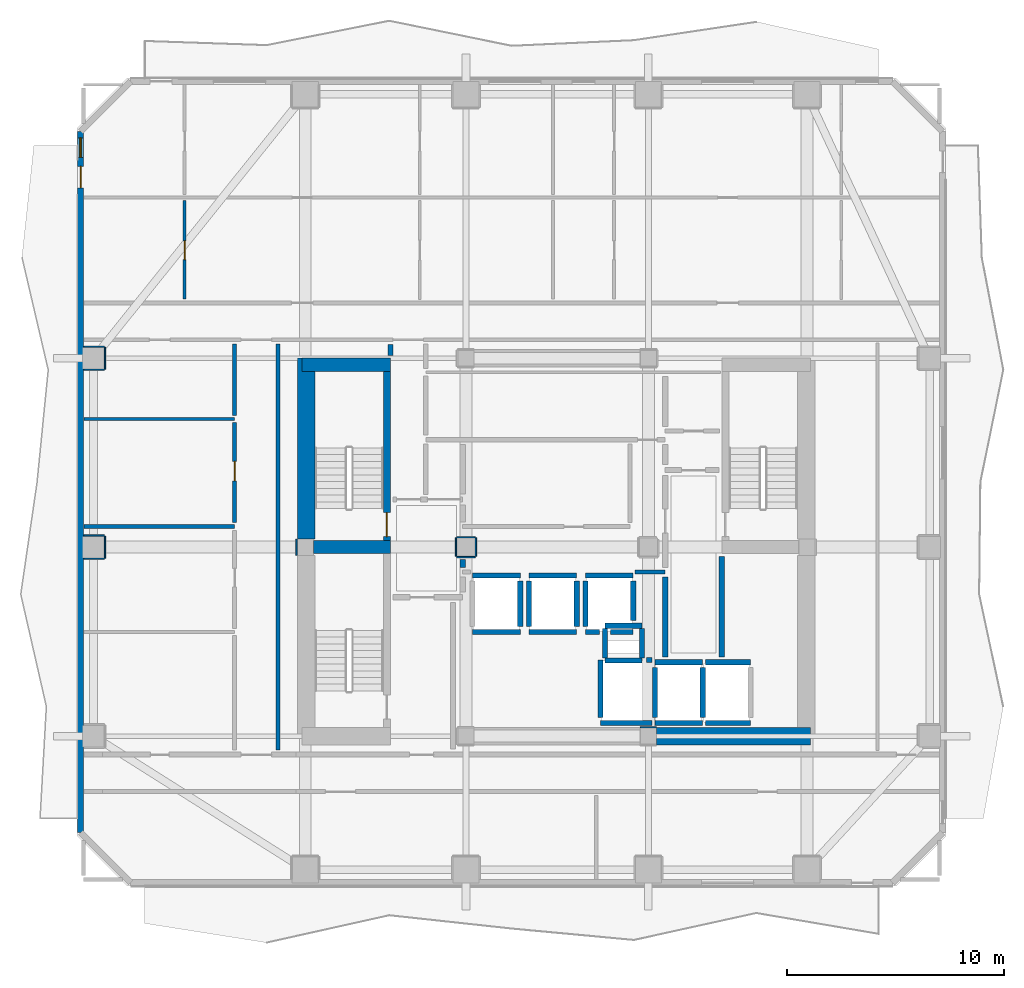
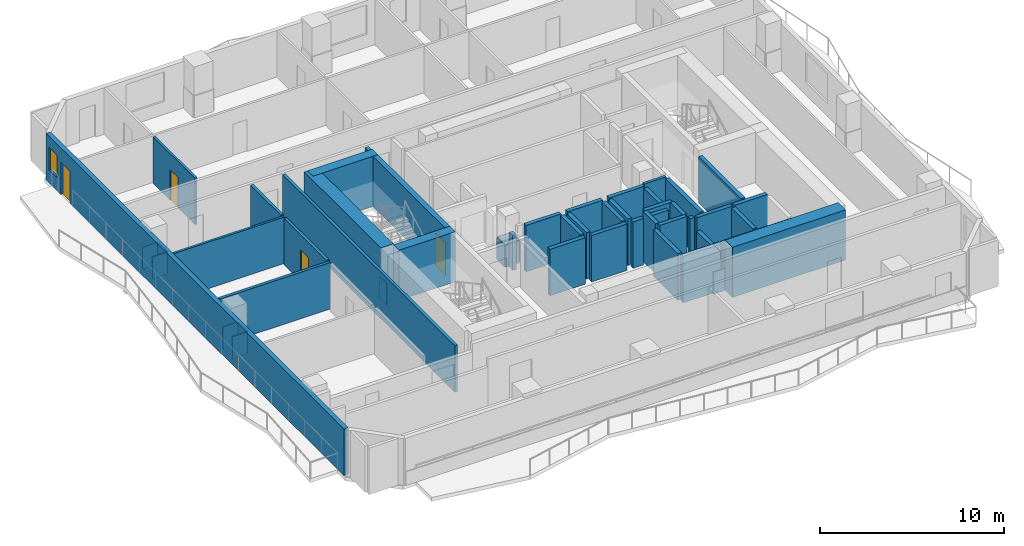
# One storey, part 3 of 10: 54 walls, 4 doors, 1 window, 5 openings.
"""IFC4 building model written with IfcOpenShell, lengths in metres."""

from ifc_helpers import new_model, si_unit, direction, frame, frame_2d, origin, place, context, subcontext, project, spatial, rectangle, extrude, material, layer, layer_set, type_object, element, fill, save


model = new_model("IFC4")

# Units and contexts
model_context = context("Model", 3, precision=1e-05, world=origin(), true_north=direction((0.0, 1.0)))
body_context = subcontext(model_context, "Body", "Model", "MODEL_VIEW")
ifc_project = project(units=[si_unit("LENGTHUNIT", "METRE"), si_unit("AREAUNIT", "SQUARE_METRE"), si_unit("VOLUMEUNIT", "CUBIC_METRE"), si_unit("PLANEANGLEUNIT", "RADIAN"), si_unit("MASSUNIT", "GRAM", prefix="KILO")], contexts=[model_context])

# Site, building, storey
site_placement = place(None, origin())
site = spatial("IfcSite", under=ifc_project, at=site_placement, CompositionType="ELEMENT")
building_placement = place(site_placement, origin())
building = spatial("IfcBuilding", under=site, at=building_placement, Name="Solanera Arch Residences", CompositionType="ELEMENT")
storey_placement = place(building_placement, frame((0.0, 0.0, 176.8798828125)))
storey = spatial("IfcBuildingStorey", under=building, at=storey_placement, Name="L51", CompositionType="ELEMENT", Elevation=176.8798828125)

# Walls
ifc_material_1 = material(Name="Fire-Rated Gypsum Stud Partition", Category="gypsum")
ifc_layer_1 = layer(ifc_material_1, 0.06005859375)
ifc_layer_set_1 = layer_set([ifc_layer_1], Name="Fire-Rated Gypsum Stud Partition")
wall_type_1 = type_object("IfcWallType", Name="Column Acoustic Furring Wall 60", PredefinedType="PARTITIONING", material=ifc_layer_set_1)
wall_1_placement = place(storey_placement, frame((28.8330078125, 22.406982421875, 0.0), z_axis=(0.0, 0.0, 1.0), x_axis=(1.0, 0.0, 0.0)))
element("IfcWall", 1, at=wall_1_placement, inside=storey, type_object=wall_type_1, Name="L51 Column Furring 2N", PredefinedType="PARTITIONING", context=body_context, shape_type="SweptSolid", body=[
    extrude(rectangle(XDim=0.73388671875, YDim=0.06005859375, at=frame_2d((0.366943359375, 0.0))), origin(), (0.0, 0.0, 1.0), 1.4501953125),
])
wall_2_placement = place(storey_placement, frame((12.992919921875, 30.324951171875, 0.0), z_axis=(0.0, 0.0, 1.0), x_axis=(0.0, 1.0, 0.0)))
element("IfcWall", 2, at=wall_2_placement, inside=storey, type_object=wall_type_1, Name="L51 Column Furring 5W", PredefinedType="PARTITIONING", context=body_context, shape_type="SweptSolid", body=[
    extrude(rectangle(XDim=0.75, YDim=0.06005859375, at=frame_2d((0.375, 0.0))), origin(), (0.0, 0.0, 1.0), 1.4501953125),
])
for number, where, z_axis, x_axis, name in (
    (3, (20.375, 30.242919921875, 0.0), (0.0, 0.0, 1.0), (1.0, 0.0, 0.0), "L51 Column Furring 7S"),
    (4, (20.375, 31.156982421875, 0.0), (0.0, 0.0, 1.0), (1.0, 0.0, 0.0), "L51 Column Furring 7N"),
    (5, (20.343017578125, 30.27490234375, 0.0), (0.0, 0.0, 1.0), (0.0, 1.0, 0.0), "L51 Column Furring 7W"),
    (6, (21.257080078125, 30.27490234375, 0.0), (0.0, 0.0, 1.0), (0.0, 1.0, 0.0), "L51 Column Furring 7E"),
):
    element("IfcWall", number, at=place(storey_placement, frame(where, z_axis=z_axis, x_axis=x_axis)), inside=storey, type_object=wall_type_1, Name=name, PredefinedType="PARTITIONING", context=body_context, shape_type="SweptSolid", body=[
        extrude(rectangle(XDim=0.85009765625, YDim=0.06005859375, at=frame_2d((0.425048828125, 0.0))), origin(), (0.0, 0.0, 1.0), 1.4501953125),
    ])
for number, where, z_axis, x_axis, name in (
    (7, (3.2099609375, 30.16796875, 0.0), (0.0, 0.0, 1.0), (1.0, 0.0, 0.0), "L51 Column Furring 19S"),
    (8, (3.2099609375, 31.23193359375, 0.0), (0.0, 0.0, 1.0), (1.0, 0.0, 0.0), "L51 Column Furring 19N"),
):
    element("IfcWall", number, at=place(storey_placement, frame(where, z_axis=z_axis, x_axis=x_axis)), inside=storey, type_object=wall_type_1, Name=name, PredefinedType="PARTITIONING", context=body_context, shape_type="SweptSolid", body=[
        extrude(rectangle(XDim=0.93994140625, YDim=0.06005859375, at=frame_2d((0.469970703125, 0.0))), origin(), (0.0, 0.0, 1.0), 1.4501953125),
    ])
wall_3_placement = place(storey_placement, frame((4.181884765625, 30.199951171875, 0.0), z_axis=(0.0, 0.0, 1.0), x_axis=(0.0, 1.0, 0.0)))
element("IfcWall", 9, at=wall_3_placement, inside=storey, type_object=wall_type_1, Name="L51 Column Furring 19E", PredefinedType="PARTITIONING", context=body_context, shape_type="SweptSolid", body=[
    extrude(rectangle(XDim=1.0, YDim=0.06005859375, at=frame_2d((0.5, 0.0))), origin(), (0.0, 0.0, 1.0), 1.4501953125),
])
for number, where, z_axis, x_axis, name in (
    (10, (3.2099609375, 38.867919921875, 0.0), (0.0, 0.0, 1.0), (1.0, 0.0, 0.0), "L51 Column Furring 21S"),
    (11, (3.2099609375, 39.931884765625, 0.0), (0.0, 0.0, 1.0), (1.0, 0.0, 0.0), "L51 Column Furring 21N"),
):
    element("IfcWall", number, at=place(storey_placement, frame(where, z_axis=z_axis, x_axis=x_axis)), inside=storey, type_object=wall_type_1, Name=name, PredefinedType="PARTITIONING", context=body_context, shape_type="SweptSolid", body=[
        extrude(rectangle(XDim=0.93994140625, YDim=0.06005859375, at=frame_2d((0.469970703125, 0.0))), origin(), (0.0, 0.0, 1.0), 1.4501953125),
    ])
wall_4_placement = place(storey_placement, frame((4.181884765625, 38.89990234375, 0.0), z_axis=(0.0, 0.0, 1.0), x_axis=(0.0, 1.0, 0.0)))
element("IfcWall", 12, at=wall_4_placement, inside=storey, type_object=wall_type_1, Name="L51 Column Furring 21E", PredefinedType="PARTITIONING", context=body_context, shape_type="SweptSolid", body=[
    extrude(rectangle(XDim=1.0, YDim=0.06005859375, at=frame_2d((0.5, 0.0))), origin(), (0.0, 0.0, 1.0), 1.4501953125),
])

# Wall, opening, door
ifc_material_2 = material(Name="Concrete C40/50 (f'c = 45 MPa)", Category="concrete")
ifc_layer_2 = layer(ifc_material_2, 0.320068359375)
ifc_layer_set_2 = layer_set([ifc_layer_2], Name="Concrete C40/50 (f'c = 45 MPa)")
wall_type_2 = type_object("IfcWallType", Name="Core Shear Wall CW-320", PredefinedType="SHEAR", material=ifc_layer_set_2)
wall_5_placement = place(storey_placement, frame((17.159912109375, 31.0, 0.0), z_axis=(0.0, 0.0, 1.0), x_axis=(0.0, 1.0, 0.0)))
wall_5 = element("IfcWall", 13, at=wall_5_placement, inside=storey, type_object=wall_type_2, Name="L51 Stair ST-T1 East Shear Wall", PredefinedType="SHEAR", context=body_context, shape_type="SweptSolid", body=[
    extrude(rectangle(XDim=7.800048828125, YDim=0.320068359375, at=frame_2d((3.89990234375, 0.0))), origin(), (0.0, 0.0, 1.0), 3.320068359375),
])
opening_1_placement = place(wall_5_placement, frame((0.18994140625, 0.0, 0.0)))
opening_1 = element("IfcOpeningElement", 14, at=opening_1_placement, cuts=wall_5, Name="Opening DF-01", PredefinedType="OPENING", context=body_context, shape_type="SweptSolid", body=[
    extrude(rectangle(XDim=1.10009765625, YDim=2.14990234375, at=frame_2d((0.550048828125, 1.074951171875))), frame((0.0, 0.169921875, 0.0), z_axis=(0.0, -1.0, 0.0), x_axis=(1.0, 0.0, 0.0)), (0.0, 0.0, 1.0), 0.3401),
])
ifc_material_3 = material(Name="Fire-Rated Architectural Hardwood", Category="wood")
door_type_1 = type_object("IfcDoorType", Name="Stair Exit Fire Door DF-01", OperationType="NOTDEFINED", PredefinedType="DOOR", material=ifc_material_3)
door_1_placement = place(opening_1_placement, origin())
door_1 = element("IfcDoor", 15, at=door_1_placement, inside=storey, type_object=door_type_1, Name="DR-L51-STAIR-ST-T1", OperationType="SINGLE_SWING_LEFT", OverallHeight=2.14990234375, OverallWidth=1.10009765625, PredefinedType="DOOR", context=body_context, shape_type="SweptSolid", body=[
    extrude(rectangle(XDim=1.10009765625, YDim=2.14990234375, at=frame_2d((0.550048828125, 1.074951171875))), frame((0.0, 0.02490234375, 0.0), z_axis=(0.0, -1.0, 0.0), x_axis=(1.0, 0.0, 0.0)), (0.0, 0.0, 1.0), 0.050048828125),
])
fill(opening_1, door_1)

# Walls
ifc_material_4 = material(Name="Concrete C40/50 (f'c = 45 MPa)", Category="concrete")
ifc_layer_3 = layer(ifc_material_4, 0.60009765625)
ifc_layer_set_3 = layer_set([ifc_layer_3], Name="Concrete C40/50 (f'c = 45 MPa)")
wall_type_3 = type_object("IfcWallType", Name="Core Shear Wall CW-600", PredefinedType="SHEAR", material=ifc_layer_set_3)
wall_6_placement = place(storey_placement, frame((13.239990234375, 39.10009765625, 0.0), z_axis=(0.0, 0.0, 1.0), x_axis=(1.0, 0.0, 0.0)))
element("IfcWall", 16, at=wall_6_placement, inside=storey, type_object=wall_type_3, Name="L51 North-West Core Shear Wall", PredefinedType="SHEAR", context=body_context, shape_type="SweptSolid", body=[
    extrude(rectangle(XDim=4.080078125, YDim=0.60009765625, at=frame_2d((2.0400390625, 0.0))), origin(), (0.0, 0.0, 1.0), 3.320068359375),
])
wall_7_placement = place(storey_placement, frame((13.780029296875, 30.699951171875, 0.0), z_axis=(0.0, 0.0, 1.0), x_axis=(1.0, 0.0, 0.0)))
element("IfcWall", 17, at=wall_7_placement, inside=storey, type_object=wall_type_3, Name="L51 West Stair Divider Shear Wall", PredefinedType="SHEAR", context=body_context, shape_type="SweptSolid", body=[
    extrude(rectangle(XDim=3.5400390625, YDim=0.60009765625, at=frame_2d((1.77001953125, 0.0))), origin(), (0.0, 0.0, 1.0), 3.320068359375),
])
ifc_material_5 = material(Name="Concrete C40/50 (f'c = 45 MPa)", Category="concrete")
ifc_layer_4 = layer(ifc_material_5, 0.800048828125)
ifc_layer_set_4 = layer_set([ifc_layer_4], Name="Concrete C40/50 (f'c = 45 MPa)")
wall_type_4 = type_object("IfcWallType", Name="Core Shear Wall CW-800", PredefinedType="SHEAR", material=ifc_layer_set_4)
wall_8_placement = place(storey_placement, frame((13.43994140625, 31.080078125, 0.0), z_axis=(0.0, 0.0, 1.0), x_axis=(0.0, 1.0, 0.0)))
element("IfcWall", 18, at=wall_8_placement, inside=storey, type_object=wall_type_4, Name="L51 West Core North Shear Wall", PredefinedType="SHEAR", context=body_context, shape_type="SweptSolid", body=[
    extrude(rectangle(XDim=8.31982421875, YDim=0.800048828125, at=frame_2d((4.159912109375, 0.0))), origin(), (0.0, 0.0, 1.0), 3.320068359375),
])
wall_9_placement = place(storey_placement, frame((29.580078125, 22.0, 0.0), z_axis=(0.0, 0.0, 1.0), x_axis=(1.0, 0.0, 0.0)))
element("IfcWall", 19, at=wall_9_placement, inside=storey, type_object=wall_type_4, Name="L51 South-East Core Shear Wall", PredefinedType="SHEAR", context=body_context, shape_type="SweptSolid", body=[
    extrude(rectangle(XDim=7.079833984375, YDim=0.800048828125, at=frame_2d((3.5400390625, 0.0))), origin(), (0.0, 0.0, 1.0), 3.320068359375),
])
ifc_material_6 = material(Name="Autoclaved Aerated Concrete Blockwork", Category="masonry")
ifc_layer_5 = layer(ifc_material_6, 0.179931640625)
ifc_layer_set_5 = layer_set([ifc_layer_5], Name="Autoclaved Aerated Concrete Blockwork")
wall_type_5 = type_object("IfcWallType", Name="Corridor Fire Partition 180", PredefinedType="PARTITIONING", material=ifc_layer_set_5)
wall_10_placement = place(storey_placement, frame((28.593017578125, 29.550048828125, 0.0), z_axis=(0.0, 0.0, 1.0), x_axis=(1.0, 0.0, 0.0)))
element("IfcWall", 20, at=wall_10_placement, inside=storey, type_object=wall_type_5, Name="L51 Interior Partition H9 2", PredefinedType="PARTITIONING", context=body_context, shape_type="SweptSolid", body=[
    extrude(rectangle(XDim=1.382080078125, YDim=0.179931640625, at=frame_2d((0.69091796875, 0.0))), origin(), (0.0, 0.0, 1.0), 3.080078125),
])
wall_11_placement = place(storey_placement, frame((3.20703125, 31.64990234375, 0.0), z_axis=(0.0, 0.0, 1.0), x_axis=(1.0, 0.0, 0.0)))
element("IfcWall", 21, at=wall_11_placement, inside=storey, type_object=wall_type_5, Name="L51 Interior Partition H10", PredefinedType="PARTITIONING", context=body_context, shape_type="SweptSolid", body=[
    extrude(rectangle(XDim=6.94287109375, YDim=0.179931640625, at=frame_2d((3.471435546875, 0.0))), origin(), (0.0, 0.0, 1.0), 3.080078125),
])

# Wall, opening, door
wall_12_placement = place(storey_placement, frame((10.14990234375, 31.837890625, 0.0), z_axis=(0.0, 0.0, 1.0), x_axis=(0.0, 1.0, 0.0)))
wall_12 = element("IfcWall", 22, at=wall_12_placement, inside=storey, type_object=wall_type_5, Name="L51 Interior Partition V8 3", PredefinedType="PARTITIONING", context=body_context, shape_type="SweptSolid", body=[
    extrude(rectangle(XDim=4.593994140625, YDim=0.179931640625, at=frame_2d((2.296875, 0.0))), origin(), (0.0, 0.0, 1.0), 3.080078125),
])
opening_2_placement = place(wall_12_placement, frame((1.912109375, 0.0, 0.0)))
opening_2 = element("IfcOpeningElement", 23, at=opening_2_placement, cuts=wall_12, Name="Opening DI-02", PredefinedType="OPENING", context=body_context, shape_type="SweptSolid", body=[
    extrude(rectangle(XDim=0.89990234375, YDim=2.10009765625, at=frame_2d((0.449951171875, 1.050048828125))), frame((0.0, 0.10009765625, 0.0), z_axis=(0.0, -1.0, 0.0), x_axis=(1.0, 0.0, 0.0)), (0.0, 0.0, 1.0), 0.1999),
])
ifc_material_7 = material(Name="Fire-Rated Architectural Hardwood", Category="wood")
door_type_2 = type_object("IfcDoorType", Name="Suite Room Swing Door DI-02", OperationType="NOTDEFINED", PredefinedType="DOOR", material=ifc_material_7)
door_2_placement = place(opening_2_placement, origin())
door_2 = element("IfcDoor", 24, at=door_2_placement, inside=storey, type_object=door_type_2, Name="DR-L51-IN-020", OperationType="SINGLE_SWING_RIGHT", OverallHeight=2.10009765625, OverallWidth=0.89990234375, PredefinedType="DOOR", context=body_context, shape_type="SweptSolid", body=[
    extrude(rectangle(XDim=0.89990234375, YDim=2.10009765625, at=frame_2d((0.449951171875, 1.050048828125))), frame((0.0, 0.02490234375, 0.0), z_axis=(0.0, -1.0, 0.0), x_axis=(1.0, 0.0, 0.0)), (0.0, 0.0, 1.0), 0.050048828125),
])
fill(opening_2, door_2)

# Walls
wall_13_placement = place(storey_placement, frame((10.14990234375, 36.76806640625, 0.0), z_axis=(0.0, 0.0, 1.0), x_axis=(0.0, 1.0, 0.0)))
element("IfcWall", 25, at=wall_13_placement, inside=storey, type_object=wall_type_5, Name="L51 Interior Partition V8 4", PredefinedType="PARTITIONING", context=body_context, shape_type="SweptSolid", body=[
    extrude(rectangle(XDim=3.2939453125, YDim=0.179931640625, at=frame_2d((1.64697265625, 0.0))), origin(), (0.0, 0.0, 1.0), 3.080078125),
])
wall_14_placement = place(storey_placement, frame((12.14990234375, 21.367919921875, 0.0), z_axis=(0.0, 0.0, 1.0), x_axis=(0.0, 1.0, 0.0)))
element("IfcWall", 26, at=wall_14_placement, inside=storey, type_object=wall_type_5, Name="L51 Interior Partition V9", PredefinedType="PARTITIONING", context=body_context, shape_type="SweptSolid", body=[
    extrude(rectangle(XDim=18.694091796875, YDim=0.179931640625, at=frame_2d((9.34716796875, 0.0))), origin(), (0.0, 0.0, 1.0), 3.080078125),
])

# Wall, openings, door, window
ifc_material_8 = material(Name="Precast Concrete C35/45", Category="concrete")
ifc_layer_6 = layer(ifc_material_8, 0.280029296875)
ifc_layer_set_6 = layer_set([ifc_layer_6], Name="Precast Concrete C35/45")
wall_type_6 = type_object("IfcWallType", Name="Exterior Wall Precast Masonry-Frame 280", PredefinedType="STANDARD", material=ifc_layer_set_6)
wall_15_placement = place(storey_placement, frame((3.054931640625, 17.554931640625, 0.0), z_axis=(0.0, 0.0, 1.0), x_axis=(0.0, 1.0, 0.0)))
wall_15 = element("IfcWall", 27, at=wall_15_placement, inside=storey, type_object=wall_type_6, Name="L51 Tower Exterior Precast Masonry-Frame Wall W", PredefinedType="STANDARD", context=body_context, shape_type="SweptSolid", body=[
    extrude(rectangle(XDim=32.2900390625, YDim=0.280029296875, at=frame_2d((16.14501953125, 0.0))), origin(), (0.0, 0.0, 1.0), 3.080078125),
])
opening_3_placement = place(wall_15_placement, frame((29.68408203125, 0.0, 0.0)))
opening_3 = element("IfcOpeningElement", 28, at=opening_3_placement, cuts=wall_15, Name="Opening DB-01", PredefinedType="OPENING", context=body_context, shape_type="SweptSolid", body=[
    extrude(rectangle(XDim=1.0, YDim=2.14990234375, at=frame_2d((0.5, 1.074951171875))), frame((0.0, 0.14990234375, 0.0), z_axis=(0.0, -1.0, 0.0), x_axis=(1.0, 0.0, 0.0)), (0.0, 0.0, 1.0), 0.3),
])
opening_4_placement = place(wall_15_placement, frame((31.092041015625, 0.0, 0.85009765625)))
opening_4 = element("IfcOpeningElement", 29, at=opening_4_placement, cuts=wall_15, Name="Opening W-06", PredefinedType="OPENING", context=body_context, shape_type="SweptSolid", body=[
    extrude(rectangle(XDim=0.89990234375, YDim=1.5, at=frame_2d((0.449951171875, 0.75))), frame((0.0, 0.14990234375, 0.0), z_axis=(0.0, -1.0, 0.0), x_axis=(1.0, 0.0, 0.0)), (0.0, 0.0, 1.0), 0.3),
])
ifc_material_9 = material(Name="Anodised Aluminium Alloy 6063-T6", Category="aluminium")
door_type_3 = type_object("IfcDoorType", Name="Glazed Balcony Swing Door DB-01", OperationType="NOTDEFINED", PredefinedType="DOOR", material=ifc_material_9)
door_3_placement = place(opening_3_placement, origin())
door_3 = element("IfcDoor", 30, at=door_3_placement, inside=storey, type_object=door_type_3, Name="DR-L51-OUT-04", OperationType="SINGLE_SWING_RIGHT", OverallHeight=2.14990234375, OverallWidth=1.0, PredefinedType="DOOR", context=body_context, shape_type="SweptSolid", body=[
    extrude(rectangle(XDim=1.0, YDim=2.14990234375, at=frame_2d((0.5, 1.074951171875))), frame((0.0, 0.02490234375, 0.0), z_axis=(0.0, -1.0, 0.0), x_axis=(1.0, 0.0, 0.0)), (0.0, 0.0, 1.0), 0.050048828125),
])
fill(opening_3, door_3)
ifc_material_10 = material(Name="Double Glazed Low-E Laminated Glass", Category="glass")
window_type = type_object("IfcWindowType", Name="Punched Window W-06", PartitioningType="SINGLE_PANEL", PredefinedType="WINDOW", material=ifc_material_10)
window_placement = place(opening_4_placement, origin())
window = element("IfcWindow", 31, at=window_placement, inside=storey, type_object=window_type, Name="L51 5101-BR1 Punched Window", OverallHeight=1.5, OverallWidth=0.89990234375, PartitioningType="SINGLE_PANEL", PredefinedType="WINDOW", context=body_context, shape_type="SweptSolid", body=[
    extrude(rectangle(XDim=0.89990234375, YDim=1.5, at=frame_2d((0.449951171875, 0.75))), frame((0.0, 0.030029296875, 0.0), z_axis=(0.0, -1.0, 0.0), x_axis=(1.0, 0.0, 0.0)), (0.0, 0.0, 1.0), 0.06005859375),
])
fill(opening_4, window)

# Walls
ifc_material_11 = material(Name="Concrete C40/50 (f'c = 45 MPa)", Category="concrete")
ifc_layer_7 = layer(ifc_material_11, 0.239990234375)
ifc_layer_set_7 = layer_set([ifc_layer_7], Name="Concrete C40/50 (f'c = 45 MPa)")
wall_type_7 = type_object("IfcWallType", Name="Ramp Bearing Shear Wall RW-240", PredefinedType="SHEAR", material=ifc_layer_set_7)
for number, where, z_axis, x_axis, name in (
    (32, (27.199951171875, 25.47998046875, 0.0), (0.0, 0.0, 1.0), (1.0, 0.0, 0.0), "L51 Core MEP Riser South Shaft Wall"),
    (33, (27.199951171875, 27.080078125, 0.0), (0.0, 0.0, 1.0), (1.0, 0.0, 0.0), "L51 Core MEP Riser North Shaft Wall"),
):
    element("IfcWall", number, at=place(storey_placement, frame(where, z_axis=z_axis, x_axis=x_axis)), inside=storey, type_object=wall_type_7, Name=name, PredefinedType="SHEAR", context=body_context, shape_type="SweptSolid", body=[
        extrude(rectangle(XDim=1.699951171875, YDim=0.239990234375, at=frame_2d((0.85009765625, 0.0))), origin(), (0.0, 0.0, 1.0), 3.320068359375),
    ])
for number, where, z_axis, x_axis, name in (
    (34, (27.199951171875, 25.60009765625, 0.0), (0.0, 0.0, 1.0), (0.0, 1.0, 0.0), "L51 Core MEP Riser West Shaft Wall"),
    (35, (28.89990234375, 25.60009765625, 0.0), (0.0, 0.0, 1.0), (0.0, 1.0, 0.0), "L51 Core MEP Riser East Shaft Wall"),
):
    element("IfcWall", number, at=place(storey_placement, frame(where, z_axis=z_axis, x_axis=x_axis)), inside=storey, type_object=wall_type_7, Name=name, PredefinedType="SHEAR", context=body_context, shape_type="SweptSolid", body=[
        extrude(rectangle(XDim=1.35986328125, YDim=0.239990234375, at=frame_2d((0.679931640625, 0.0))), origin(), (0.0, 0.0, 1.0), 3.320068359375),
    ])
ifc_material_12 = material(Name="Autoclaved Aerated Concrete Blockwork", Category="masonry")
ifc_layer_8 = layer(ifc_material_12, 0.239990234375)
ifc_layer_set_8 = layer_set([ifc_layer_8], Name="Autoclaved Aerated Concrete Blockwork")
wall_type_8 = type_object("IfcWallType", Name="Shaft Wall Fire-Rated 240", PredefinedType="PARTITIONING", material=ifc_layer_set_8)
for number, where, z_axis, x_axis, name in (
    (36, (21.10009765625, 26.800048828125, 0.0), (0.0, 0.0, 1.0), (1.0, 0.0, 0.0), "L51 Lift PL-H1 Hoistway Wall S"),
    (37, (21.10009765625, 29.39990234375, 0.0), (0.0, 0.0, 1.0), (1.0, 0.0, 0.0), "L51 Lift PL-H1 Hoistway Wall N"),
):
    element("IfcWall", number, at=place(storey_placement, frame(where, z_axis=z_axis, x_axis=x_axis)), inside=storey, type_object=wall_type_8, Name=name, PredefinedType="PARTITIONING", context=body_context, shape_type="SweptSolid", body=[
        extrude(rectangle(XDim=2.199951171875, YDim=0.239990234375, at=frame_2d((1.10009765625, 0.0))), origin(), (0.0, 0.0, 1.0), 3.080078125),
    ])
wall_16_placement = place(storey_placement, frame((23.300048828125, 27.048095703125, 0.0), z_axis=(0.0, 0.0, 1.0), x_axis=(0.0, 1.0, 0.0)))
element("IfcWall", 38, at=wall_16_placement, inside=storey, type_object=wall_type_8, Name="L51 Lift PL-H1 Hoistway Wall E", PredefinedType="PARTITIONING", context=body_context, shape_type="SweptSolid", body=[
    extrude(rectangle(XDim=2.10400390625, YDim=0.239990234375, at=frame_2d((1.052001953125, 0.0))), origin(), (0.0, 0.0, 1.0), 3.080078125),
])
for number, where, z_axis, x_axis, name in (
    (39, (23.699951171875, 26.800048828125, 0.0), (0.0, 0.0, 1.0), (1.0, 0.0, 0.0), "L51 Lift PL-H2 Hoistway Wall S"),
    (40, (23.699951171875, 29.39990234375, 0.0), (0.0, 0.0, 1.0), (1.0, 0.0, 0.0), "L51 Lift PL-H2 Hoistway Wall N"),
):
    element("IfcWall", number, at=place(storey_placement, frame(where, z_axis=z_axis, x_axis=x_axis)), inside=storey, type_object=wall_type_8, Name=name, PredefinedType="PARTITIONING", context=body_context, shape_type="SweptSolid", body=[
        extrude(rectangle(XDim=2.199951171875, YDim=0.239990234375, at=frame_2d((1.10009765625, 0.0))), origin(), (0.0, 0.0, 1.0), 3.080078125),
    ])
for number, where, z_axis, x_axis, name in (
    (41, (23.699951171875, 27.048095703125, 0.0), (0.0, 0.0, 1.0), (0.0, 1.0, 0.0), "L51 Lift PL-H2 Hoistway Wall W"),
    (42, (25.89990234375, 27.048095703125, 0.0), (0.0, 0.0, 1.0), (0.0, 1.0, 0.0), "L51 Lift PL-H2 Hoistway Wall E"),
):
    element("IfcWall", number, at=place(storey_placement, frame(where, z_axis=z_axis, x_axis=x_axis)), inside=storey, type_object=wall_type_8, Name=name, PredefinedType="PARTITIONING", context=body_context, shape_type="SweptSolid", body=[
        extrude(rectangle(XDim=2.10400390625, YDim=0.239990234375, at=frame_2d((1.052001953125, 0.0))), origin(), (0.0, 0.0, 1.0), 3.080078125),
    ])
wall_17_placement = place(storey_placement, frame((26.300048828125, 26.800048828125, 0.0), z_axis=(0.0, 0.0, 1.0), x_axis=(1.0, 0.0, 0.0)))
element("IfcWall", 43, at=wall_17_placement, inside=storey, type_object=wall_type_8, Name="L51 Lift PL-H3 Hoistway Wall S 1", PredefinedType="PARTITIONING", context=body_context, shape_type="SweptSolid", body=[
    extrude(rectangle(XDim=0.64990234375, YDim=0.239990234375, at=frame_2d((0.324951171875, 0.0))), origin(), (0.0, 0.0, 1.0), 3.080078125),
])
wall_18_placement = place(storey_placement, frame((27.449951171875, 26.800048828125, 0.0), z_axis=(0.0, 0.0, 1.0), x_axis=(1.0, 0.0, 0.0)))
element("IfcWall", 44, at=wall_18_placement, inside=storey, type_object=wall_type_8, Name="L51 Lift PL-H3 Hoistway Wall S 2", PredefinedType="PARTITIONING", context=body_context, shape_type="SweptSolid", body=[
    extrude(rectangle(XDim=1.050048828125, YDim=0.239990234375, at=frame_2d((0.52490234375, 0.0))), origin(), (0.0, 0.0, 1.0), 3.080078125),
])
wall_19_placement = place(storey_placement, frame((26.300048828125, 29.39990234375, 0.0), z_axis=(0.0, 0.0, 1.0), x_axis=(1.0, 0.0, 0.0)))
element("IfcWall", 45, at=wall_19_placement, inside=storey, type_object=wall_type_8, Name="L51 Lift PL-H3 Hoistway Wall N", PredefinedType="PARTITIONING", context=body_context, shape_type="SweptSolid", body=[
    extrude(rectangle(XDim=2.199951171875, YDim=0.239990234375, at=frame_2d((1.10009765625, 0.0))), origin(), (0.0, 0.0, 1.0), 3.080078125),
])
wall_20_placement = place(storey_placement, frame((26.300048828125, 27.048095703125, 0.0), z_axis=(0.0, 0.0, 1.0), x_axis=(0.0, 1.0, 0.0)))
element("IfcWall", 46, at=wall_20_placement, inside=storey, type_object=wall_type_8, Name="L51 Lift PL-H3 Hoistway Wall W", PredefinedType="PARTITIONING", context=body_context, shape_type="SweptSolid", body=[
    extrude(rectangle(XDim=2.10400390625, YDim=0.239990234375, at=frame_2d((1.052001953125, 0.0))), origin(), (0.0, 0.0, 1.0), 3.080078125),
])
wall_21_placement = place(storey_placement, frame((28.5, 27.330078125, 0.0), z_axis=(0.0, 0.0, 1.0), x_axis=(0.0, 1.0, 0.0)))
element("IfcWall", 47, at=wall_21_placement, inside=storey, type_object=wall_type_8, Name="L51 Lift PL-H3 Hoistway Wall E", PredefinedType="PARTITIONING", context=body_context, shape_type="SweptSolid", body=[
    extrude(rectangle(XDim=1.822021484375, YDim=0.239990234375, at=frame_2d((0.9111328125, 0.0))), origin(), (0.0, 0.0, 1.0), 3.080078125),
])
for number, where, z_axis, x_axis, name in (
    (48, (29.5, 22.60009765625, 0.0), (0.0, 0.0, 1.0), (1.0, 0.0, 0.0), "L51 Lift FFL-1 Hoistway Wall S"),
    (49, (29.5, 25.39990234375, 0.0), (0.0, 0.0, 1.0), (1.0, 0.0, 0.0), "L51 Lift FFL-1 Hoistway Wall N"),
):
    element("IfcWall", number, at=place(storey_placement, frame(where, z_axis=z_axis, x_axis=x_axis)), inside=storey, type_object=wall_type_8, Name=name, PredefinedType="PARTITIONING", context=body_context, shape_type="SweptSolid", body=[
        extrude(rectangle(XDim=2.199951171875, YDim=0.239990234375, at=frame_2d((1.10009765625, 0.0))), origin(), (0.0, 0.0, 1.0), 3.080078125),
    ])
wall_22_placement = place(storey_placement, frame((29.5, 22.847900390625, 0.0), z_axis=(0.0, 0.0, 1.0), x_axis=(0.0, 1.0, 0.0)))
element("IfcWall", 50, at=wall_22_placement, inside=storey, type_object=wall_type_8, Name="L51 Lift FFL-1 Hoistway Wall W", PredefinedType="PARTITIONING", context=body_context, shape_type="SweptSolid", body=[
    extrude(rectangle(XDim=2.30419921875, YDim=0.239990234375, at=frame_2d((1.152099609375, 0.0))), origin(), (0.0, 0.0, 1.0), 2.315185546875),
])
wall_23_placement = place(storey_placement, frame((31.699951171875, 22.847900390625, 0.0), z_axis=(0.0, 0.0, 1.0), x_axis=(0.0, 1.0, 0.0)))
element("IfcWall", 51, at=wall_23_placement, inside=storey, type_object=wall_type_8, Name="L51 Lift FFL-1 Hoistway Wall E", PredefinedType="PARTITIONING", context=body_context, shape_type="SweptSolid", body=[
    extrude(rectangle(XDim=2.30419921875, YDim=0.239990234375, at=frame_2d((1.152099609375, 0.0))), origin(), (0.0, 0.0, 1.0), 3.080078125),
])
for number, where, z_axis, x_axis, name in (
    (52, (31.827880859375, 22.60009765625, 0.0), (0.0, 0.0, 1.0), (1.0, 0.0, 0.0), "L51 Lift FFL-2 Hoistway Wall S"),
    (53, (31.827880859375, 25.39990234375, 0.0), (0.0, 0.0, 1.0), (1.0, 0.0, 0.0), "L51 Lift FFL-2 Hoistway Wall N"),
):
    element("IfcWall", number, at=place(storey_placement, frame(where, z_axis=z_axis, x_axis=x_axis)), inside=storey, type_object=wall_type_8, Name=name, PredefinedType="PARTITIONING", context=body_context, shape_type="SweptSolid", body=[
        extrude(rectangle(XDim=2.072021484375, YDim=0.239990234375, at=frame_2d((1.0361328125, 0.0))), origin(), (0.0, 0.0, 1.0), 3.080078125),
    ])
wall_24_placement = place(storey_placement, frame((27.0, 22.60009765625, 0.0), z_axis=(0.0, 0.0, 1.0), x_axis=(1.0, 0.0, 0.0)))
element("IfcWall", 54, at=wall_24_placement, inside=storey, type_object=wall_type_8, Name="L51 Lift SVL-1 Hoistway Wall S", PredefinedType="PARTITIONING", context=body_context, shape_type="SweptSolid", body=[
    extrude(rectangle(XDim=2.3720703125, YDim=0.239990234375, at=frame_2d((1.18603515625, 0.0))), origin(), (0.0, 0.0, 1.0), 3.080078125),
])
wall_25_placement = place(storey_placement, frame((29.10302734375, 25.5, 0.0), z_axis=(0.0, 0.0, 1.0), x_axis=(1.0, 0.0, 0.0)))
element("IfcWall", 55, at=wall_25_placement, inside=storey, type_object=wall_type_8, Name="L51 Lift SVL-1 Hoistway Wall N", PredefinedType="PARTITIONING", context=body_context, shape_type="SweptSolid", body=[
    extrude(rectangle(XDim=0.26904296875, YDim=0.239990234375, at=frame_2d((0.134521484375, 0.0))), origin(), (0.0, 0.0, 1.0), 3.080078125),
])
wall_26_placement = place(storey_placement, frame((27.0, 22.847900390625, 0.0), z_axis=(0.0, 0.0, 1.0), x_axis=(0.0, 1.0, 0.0)))
element("IfcWall", 56, at=wall_26_placement, inside=storey, type_object=wall_type_8, Name="L51 Lift SVL-1 Hoistway Wall W", PredefinedType="PARTITIONING", context=body_context, shape_type="SweptSolid", body=[
    extrude(rectangle(XDim=2.650146484375, YDim=0.239990234375, at=frame_2d((1.3251953125, 0.0))), origin(), (0.0, 0.0, 1.0), 3.080078125),
])
wall_27_placement = place(storey_placement, frame((17.320068359375, 39.530029296875, 0.0), z_axis=(0.0, 0.0, 1.0), x_axis=(0.0, 1.0, 0.0)))
element("IfcWall", 57, at=wall_27_placement, inside=storey, type_object=wall_type_8, Name="L51 Interior Partition V1", PredefinedType="PARTITIONING", context=body_context, shape_type="SweptSolid", body=[
    extrude(rectangle(XDim=0.501953125, YDim=0.239990234375, at=frame_2d((0.2509765625, 0.0))), origin(), (0.0, 0.0, 1.0), 3.080078125),
])
wall_28_placement = place(storey_placement, frame((20.64990234375, 29.76806640625, 0.0), z_axis=(0.0, 0.0, 1.0), x_axis=(0.0, 1.0, 0.0)))
element("IfcWall", 58, at=wall_28_placement, inside=storey, type_object=wall_type_8, Name="L51 Interior Partition V3 2", PredefinedType="PARTITIONING", context=body_context, shape_type="SweptSolid", body=[
    extrude(rectangle(XDim=0.375, YDim=0.239990234375, at=frame_2d((0.1875, 0.0))), origin(), (0.0, 0.0, 1.0), 2.315185546875),
])
wall_29_placement = place(storey_placement, frame((29.97509765625, 25.64794921875, 0.0), z_axis=(0.0, 0.0, 1.0), x_axis=(0.0, 1.0, 0.0)))
element("IfcWall", 59, at=wall_29_placement, inside=storey, type_object=wall_type_8, Name="L51 Interior Partition V4 1", PredefinedType="PARTITIONING", context=body_context, shape_type="SweptSolid", body=[
    extrude(rectangle(XDim=3.68408203125, YDim=0.239990234375, at=frame_2d((1.842041015625, 0.0))), origin(), (0.0, 0.0, 1.0), 3.080078125),
])
wall_30_placement = place(storey_placement, frame((32.580078125, 25.64794921875, 0.0), z_axis=(0.0, 0.0, 1.0), x_axis=(0.0, 1.0, 0.0)))
element("IfcWall", 60, at=wall_30_placement, inside=storey, type_object=wall_type_8, Name="L51 Interior Partition V5", PredefinedType="PARTITIONING", context=body_context, shape_type="SweptSolid", body=[
    extrude(rectangle(XDim=4.6220703125, YDim=0.239990234375, at=frame_2d((2.31103515625, 0.0))), origin(), (0.0, 0.0, 1.0), 3.080078125),
])
ifc_material_13 = material(Name="Autoclaved Aerated Concrete Blockwork", Category="masonry")
ifc_layer_9 = layer(ifc_material_13, 0.139892578125)
ifc_layer_set_9 = layer_set([ifc_layer_9], Name="Autoclaved Aerated Concrete Blockwork")
wall_type_9 = type_object("IfcWallType", Name="Wet-Room Partition 140", PredefinedType="PARTITIONING", material=ifc_layer_set_9)
wall_31_placement = place(storey_placement, frame((3.20703125, 36.60009765625, 0.0), z_axis=(0.0, 0.0, 1.0), x_axis=(1.0, 0.0, 0.0)))
element("IfcWall", 61, at=wall_31_placement, inside=storey, type_object=wall_type_9, Name="L51 Interior Partition H16", PredefinedType="PARTITIONING", context=body_context, shape_type="SweptSolid", body=[
    extrude(rectangle(XDim=6.94287109375, YDim=0.139892578125, at=frame_2d((3.471435546875, 0.0))), origin(), (0.0, 0.0, 1.0), 3.080078125),
])

# Wall, opening, door
wall_32_placement = place(storey_placement, frame((7.843994140625, 42.117919921875, 0.0), z_axis=(0.0, 0.0, 1.0), x_axis=(0.0, 1.0, 0.0)))
wall_32 = element("IfcWall", 62, at=wall_32_placement, inside=storey, type_object=wall_type_9, Name="L51 Interior Partition V13 1", PredefinedType="PARTITIONING", context=body_context, shape_type="SweptSolid", body=[
    extrude(rectangle(XDim=4.5341796875, YDim=0.139892578125, at=frame_2d((2.26708984375, 0.0))), origin(), (0.0, 0.0, 1.0), 3.080078125),
])
opening_5_placement = place(wall_32_placement, frame((1.826904296875, 0.0, 0.0)))
opening_5 = element("IfcOpeningElement", 63, at=opening_5_placement, cuts=wall_32, Name="Opening DI-05", PredefinedType="OPENING", context=body_context, shape_type="SweptSolid", body=[
    extrude(rectangle(XDim=0.860107421875, YDim=2.02001953125, at=frame_2d((0.43017578125, 1.010009765625))), frame((0.0, 0.079833984375, 0.0), z_axis=(0.0, -1.0, 0.0), x_axis=(1.0, 0.0, 0.0)), (0.0, 0.0, 1.0), 0.1599),
])
ifc_material_14 = material(Name="Fire-Rated Architectural Hardwood", Category="wood")
door_type_4 = type_object("IfcDoorType", Name="Bathroom Swing Door DI-05", OperationType="NOTDEFINED", PredefinedType="DOOR", material=ifc_material_14)
door_4_placement = place(opening_5_placement, origin())
door_4 = element("IfcDoor", 64, at=door_4_placement, inside=storey, type_object=door_type_4, Name="DR-L51-IN-025", OperationType="SINGLE_SWING_LEFT", OverallHeight=2.02001953125, OverallWidth=0.860107421875, PredefinedType="DOOR", context=body_context, shape_type="SweptSolid", body=[
    extrude(rectangle(XDim=0.860107421875, YDim=2.02001953125, at=frame_2d((0.43017578125, 1.010009765625))), frame((0.0, 0.02490234375, 0.0), z_axis=(0.0, -1.0, 0.0), x_axis=(1.0, 0.0, 0.0)), (0.0, 0.0, 1.0), 0.050048828125),
])
fill(opening_5, door_4)

save(model, "model.ifc")
